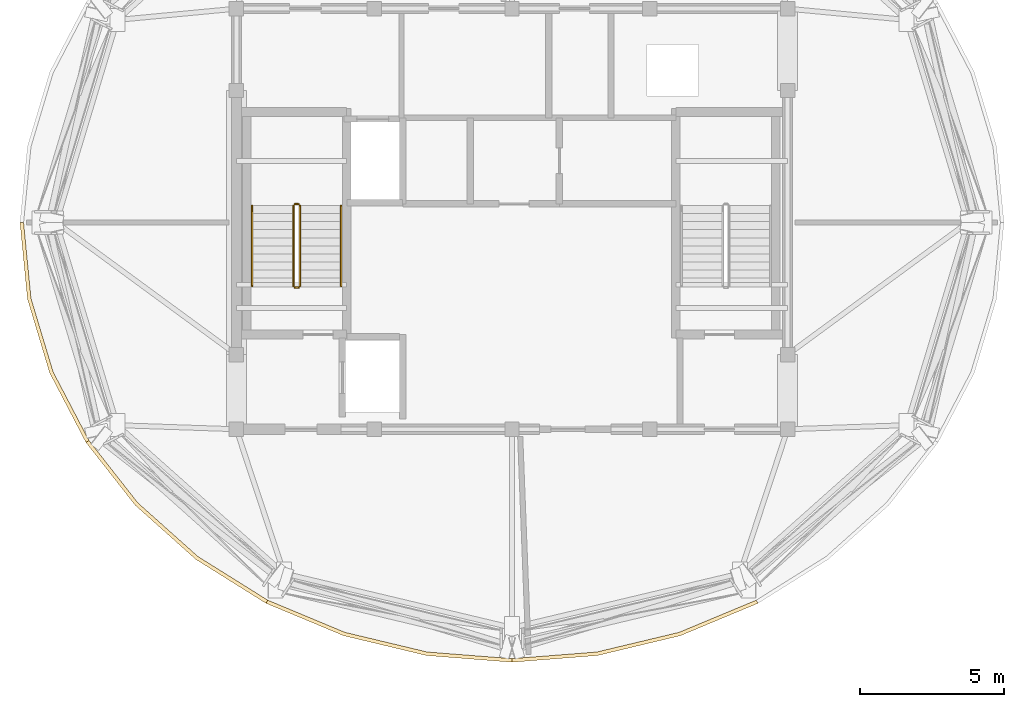
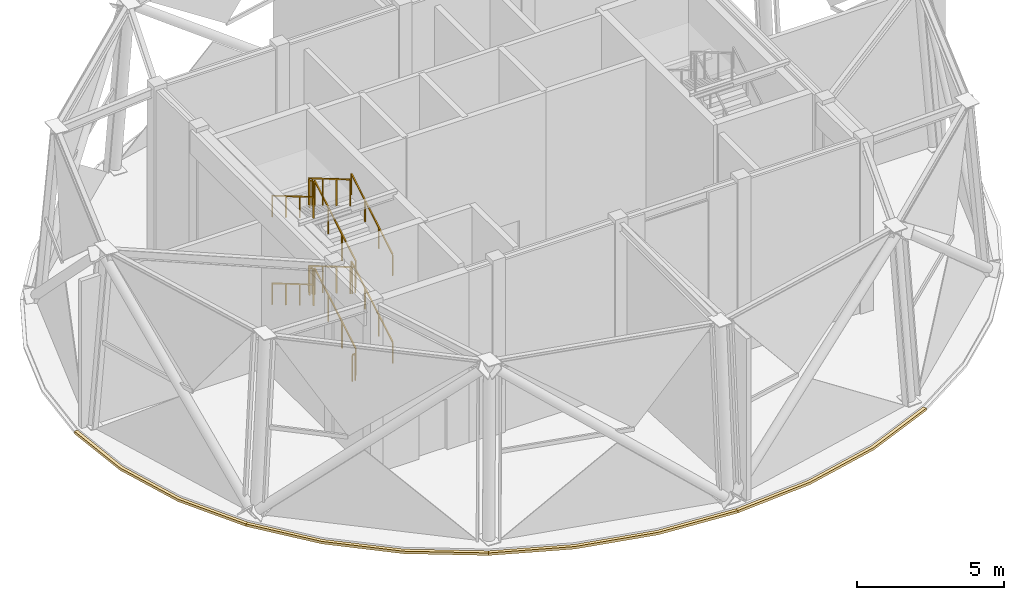
# One storey, part 7 of 9: 12 railings, 4 coverings.
"""IFC4 building model written with IfcOpenShell, lengths in metres."""

from ifc_helpers import new_model, si_unit, direction, frame, origin, origin_2d, place, context, subcontext, project, spatial, polyline, rectangle, outline, extrude, material, layer, layer_set, type_object, element, save


model = new_model("IFC4")

# Units and contexts
model_context = context("Model", 3, precision=1e-05, world=origin(), true_north=direction((0.0, 1.0)))
body_context = subcontext(model_context, "Body", "Model", "MODEL_VIEW")
ifc_project = project(units=[si_unit("LENGTHUNIT", "METRE"), si_unit("AREAUNIT", "SQUARE_METRE"), si_unit("VOLUMEUNIT", "CUBIC_METRE"), si_unit("PLANEANGLEUNIT", "RADIAN"), si_unit("MASSUNIT", "GRAM", prefix="KILO")], contexts=[model_context])

# Site, building, storey
site_placement = place(None, origin())
site = spatial("IfcSite", under=ifc_project, at=site_placement, CompositionType="ELEMENT")
building_placement = place(site_placement, origin())
building = spatial("IfcBuilding", under=site, at=building_placement, Name="Vantalir Tower", CompositionType="ELEMENT")
storey_placement = place(building_placement, frame((0.0, 0.0, 311.75)))
storey = spatial("IfcBuildingStorey", under=building, at=storey_placement, Name="L77", CompositionType="ELEMENT", Elevation=311.75)

# Coverings
ifc_material_1 = material(Name="Anodised champagne aluminium sill fascia", Category="aluminium")
ifc_layer = layer(ifc_material_1, 0.125)
ifc_layer_set = layer_set([ifc_layer], Name="Anodised champagne aluminium sill fascia")
covering_type = type_object("IfcCoveringType", Name="COV-SLAB-FASCIA-125", PredefinedType="CLADDING", material=ifc_layer_set)
covering_1_placement = place(storey_placement, frame((0.0, 0.0, -0.179931640625)))
element("IfcCovering", 1, at=covering_1_placement, inside=storey, type_object=covering_type, Name="L77 Perimeter Slab-Edge Sill Fascia 07", PredefinedType="CLADDING", context=body_context, shape_type="SweptSolid", body=[
    extrude(outline(polyline([(14.362060546875, 25.0), (14.6220703125, 22.341064453125), (15.39599609375, 19.761962890625), (16.657958984375, 17.342041015625), (16.76611328125, 17.405029296875), (15.512939453125, 19.804931640625), (14.7451171875, 22.362060546875), (14.487060546875, 25.0), (14.362060546875, 25.0)])), origin(), (0.0, 0.0, 1.0), 0.10498046875),
])
covering_2_placement = place(storey_placement, frame((0.0, 0.0, -0.179931640625)))
element("IfcCovering", 2, at=covering_2_placement, inside=storey, type_object=covering_type, Name="L77 Perimeter Slab-Edge Sill Fascia 08", PredefinedType="CLADDING", context=body_context, shape_type="SweptSolid", body=[
    extrude(outline(polyline([(16.657958984375, 17.342041015625), (18.3720703125, 15.156005859375), (20.48388671875, 13.26806640625), (22.930908203125, 11.737060546875), (22.992919921875, 11.844970703125), (20.56396484375, 13.364013671875), (18.467041015625, 15.236083984375), (16.76611328125, 17.405029296875), (16.657958984375, 17.342041015625)])), origin(), (0.0, 0.0, 1.0), 0.10498046875),
])
covering_3_placement = place(storey_placement, frame((0.0, 0.0, -0.179931640625)))
element("IfcCovering", 3, at=covering_3_placement, inside=storey, type_object=covering_type, Name="L77 Perimeter Slab-Edge Sill Fascia 09", PredefinedType="CLADDING", context=body_context, shape_type="SweptSolid", body=[
    extrude(outline(polyline([(22.930908203125, 11.737060546875), (25.637939453125, 10.60888671875), (28.52392578125, 9.91796875), (31.5, 9.68505859375), (31.5, 9.81005859375), (28.5458984375, 10.041015625), (25.680908203125, 10.72607421875), (22.992919921875, 11.844970703125), (22.930908203125, 11.737060546875)])), origin(), (0.0, 0.0, 1.0), 0.10498046875),
])
covering_4_placement = place(storey_placement, frame((0.0, 0.0, -0.179931640625)))
element("IfcCovering", 4, at=covering_4_placement, inside=storey, type_object=covering_type, Name="L77 Perimeter Slab-Edge Sill Fascia 10", PredefinedType="CLADDING", context=body_context, shape_type="SweptSolid", body=[
    extrude(outline(polyline([(31.5, 9.68505859375), (34.47607421875, 9.91796875), (37.362060546875, 10.60888671875), (40.069091796875, 11.737060546875), (40.007080078125, 11.844970703125), (37.319091796875, 10.72607421875), (34.4541015625, 10.041015625), (31.5, 9.81005859375), (31.5, 9.68505859375)])), origin(), (0.0, 0.0, 1.0), 0.10498046875),
])

# Railings
ifc_material_2 = material(Name="Anodised aluminium and stainless steel guard", Category="steel")
railing_type_1 = type_object("IfcRailingType", Name="RAL-GUARD-1120", PredefinedType="GUARDRAIL", material=ifc_material_2)
railing_1_placement = place(storey_placement, frame((24.110107421875, 22.7900390625, 0.164794921875)))
element("IfcRailing", 5, at=railing_1_placement, inside=storey, type_object=railing_type_1, Name="L77 ST1 stair guard 1", PredefinedType="GUARDRAIL", context=body_context, shape_type="SweptSolid", body=[
    extrude(rectangle(XDim=0.048095703125, YDim=0.048095703125, at=origin_2d()), frame((0.0, 0.0, 1.09619140625), z_axis=(0.0, 0.861851137157, 0.507161332695), x_axis=(-1.0, 0.0, 0.0)), (0.0, 0.0, 1.0), 3.248779296875),
    extrude(rectangle(XDim=0.0419921875, YDim=0.0419921875, at=origin_2d()), origin(), (0.0, 0.0, 1.0), 1.072021484375),
    extrude(rectangle(XDim=0.0419921875, YDim=0.0419921875, at=origin_2d()), frame((0.0, 0.933349609375, 0.54931640625)), (0.0, 0.0, 1.0), 1.072021484375),
    extrude(rectangle(XDim=0.0419921875, YDim=0.0419921875, at=origin_2d()), frame((0.0, 1.86669921875, 1.098388671875)), (0.0, 0.0, 1.0), 1.072021484375),
    extrude(rectangle(XDim=0.0419921875, YDim=0.0419921875, at=origin_2d()), frame((0.0, 2.800048828125, 1.647705078125)), (0.0, 0.0, 1.0), 1.072021484375),
])
railing_2_placement = place(storey_placement, frame((24.06005859375, 25.639892578125, 1.8125)))
element("IfcRailing", 6, at=railing_2_placement, inside=storey, type_object=railing_type_1, Name="L77 ST1 stair guard 2", PredefinedType="GUARDRAIL", context=body_context, shape_type="SweptSolid", body=[
    extrude(rectangle(XDim=0.048095703125, YDim=0.048095703125, at=origin_2d()), frame((0.0, 0.0, 1.09619140625), z_axis=(-1.0, 0.0, 0.0), x_axis=(0.0, -1.0, 0.0)), (0.0, 0.0, 1.0), 0.1201171875),
    extrude(rectangle(XDim=0.0419921875, YDim=0.0419921875, at=origin_2d()), origin(), (0.0, 0.0, 1.0), 1.072021484375),
    extrude(rectangle(XDim=0.0419921875, YDim=0.0419921875, at=origin_2d()), frame((-0.1201171875, 0.0, 0.0)), (0.0, 0.0, 1.0), 1.072021484375),
])
railing_3_placement = place(storey_placement, frame((23.889892578125, 25.590087890625, 1.977294921875)))
element("IfcRailing", 7, at=railing_3_placement, inside=storey, type_object=railing_type_1, Name="L77 ST1 stair guard 3", PredefinedType="GUARDRAIL", context=body_context, shape_type="SweptSolid", body=[
    extrude(rectangle(XDim=0.048095703125, YDim=0.048095703125, at=origin_2d()), frame((0.0, 0.0, 1.09619140625), z_axis=(0.0, -0.861851137157, 0.507161332695), x_axis=(1.0, 0.0, 0.0)), (0.0, 0.0, 1.0), 3.248779296875),
    extrude(rectangle(XDim=0.0419921875, YDim=0.0419921875, at=origin_2d()), origin(), (0.0, 0.0, 1.0), 1.072021484375),
    extrude(rectangle(XDim=0.0419921875, YDim=0.0419921875, at=origin_2d()), frame((0.0, -0.933349609375, 0.54931640625)), (0.0, 0.0, 1.0), 1.072021484375),
    extrude(rectangle(XDim=0.0419921875, YDim=0.0419921875, at=origin_2d()), frame((0.0, -1.86669921875, 1.098388671875)), (0.0, 0.0, 1.0), 1.072021484375),
    extrude(rectangle(XDim=0.0419921875, YDim=0.0419921875, at=origin_2d()), frame((0.0, -2.800048828125, 1.647705078125)), (0.0, 0.0, 1.0), 1.072021484375),
])
railing_4_placement = place(storey_placement, frame((24.06005859375, 22.739990234375, 3.625)))
element("IfcRailing", 8, at=railing_4_placement, inside=storey, type_object=railing_type_1, Name="L77 ST1 stair guard 4", PredefinedType="GUARDRAIL", context=body_context, shape_type="SweptSolid", body=[
    extrude(rectangle(XDim=0.048095703125, YDim=0.048095703125, at=origin_2d()), frame((0.0, 0.0, 1.09619140625), z_axis=(-1.0, 0.0, 0.0), x_axis=(0.0, -1.0, 0.0)), (0.0, 0.0, 1.0), 0.1201171875),
    extrude(rectangle(XDim=0.0419921875, YDim=0.0419921875, at=origin_2d()), origin(), (0.0, 0.0, 1.0), 1.072021484375),
    extrude(rectangle(XDim=0.0419921875, YDim=0.0419921875, at=origin_2d()), frame((-0.1201171875, 0.0, 0.0)), (0.0, 0.0, 1.0), 1.072021484375),
])
railing_5_placement = place(storey_placement, frame((24.110107421875, 22.7900390625, 3.789794921875)))
element("IfcRailing", 9, at=railing_5_placement, inside=storey, type_object=railing_type_1, Name="L77 ST1 stair guard 5", PredefinedType="GUARDRAIL", context=body_context, shape_type="SweptSolid", body=[
    extrude(rectangle(XDim=0.048095703125, YDim=0.048095703125, at=origin_2d()), frame((0.0, 0.0, 1.09619140625), z_axis=(0.0, 0.861851137157, 0.507161332695), x_axis=(-1.0, 0.0, 0.0)), (0.0, 0.0, 1.0), 3.248779296875),
    extrude(rectangle(XDim=0.0419921875, YDim=0.0419921875, at=origin_2d()), origin(), (0.0, 0.0, 1.0), 1.072021484375),
    extrude(rectangle(XDim=0.0419921875, YDim=0.0419921875, at=origin_2d()), frame((0.0, 0.933349609375, 0.54931640625)), (0.0, 0.0, 1.0), 1.072021484375),
    extrude(rectangle(XDim=0.0419921875, YDim=0.0419921875, at=origin_2d()), frame((0.0, 1.86669921875, 1.098388671875)), (0.0, 0.0, 1.0), 1.072021484375),
    extrude(rectangle(XDim=0.0419921875, YDim=0.0419921875, at=origin_2d()), frame((0.0, 2.800048828125, 1.647705078125)), (0.0, 0.0, 1.0), 1.072021484375),
])
railing_6_placement = place(storey_placement, frame((24.06005859375, 25.639892578125, 5.4375)))
element("IfcRailing", 10, at=railing_6_placement, inside=storey, type_object=railing_type_1, Name="L77 ST1 stair guard 6", PredefinedType="GUARDRAIL", context=body_context, shape_type="SweptSolid", body=[
    extrude(rectangle(XDim=0.048095703125, YDim=0.048095703125, at=origin_2d()), frame((0.0, 0.0, 1.09619140625), z_axis=(-1.0, 0.0, 0.0), x_axis=(0.0, -1.0, 0.0)), (0.0, 0.0, 1.0), 0.1201171875),
    extrude(rectangle(XDim=0.0419921875, YDim=0.0419921875, at=origin_2d()), origin(), (0.0, 0.0, 1.0), 1.072021484375),
    extrude(rectangle(XDim=0.0419921875, YDim=0.0419921875, at=origin_2d()), frame((-0.1201171875, 0.0, 0.0)), (0.0, 0.0, 1.0), 1.072021484375),
])
railing_7_placement = place(storey_placement, frame((23.889892578125, 25.590087890625, 5.602294921875)))
element("IfcRailing", 11, at=railing_7_placement, inside=storey, type_object=railing_type_1, Name="L77 ST1 stair guard 7", PredefinedType="GUARDRAIL", context=body_context, shape_type="SweptSolid", body=[
    extrude(rectangle(XDim=0.048095703125, YDim=0.048095703125, at=origin_2d()), frame((0.0, 0.0, 1.09619140625), z_axis=(0.0, -0.861851137157, 0.507161332695), x_axis=(1.0, 0.0, 0.0)), (0.0, 0.0, 1.0), 3.248779296875),
    extrude(rectangle(XDim=0.0419921875, YDim=0.0419921875, at=origin_2d()), origin(), (0.0, 0.0, 1.0), 1.072021484375),
    extrude(rectangle(XDim=0.0419921875, YDim=0.0419921875, at=origin_2d()), frame((0.0, -0.933349609375, 0.54931640625)), (0.0, 0.0, 1.0), 1.072021484375),
    extrude(rectangle(XDim=0.0419921875, YDim=0.0419921875, at=origin_2d()), frame((0.0, -1.86669921875, 1.098388671875)), (0.0, 0.0, 1.0), 1.072021484375),
    extrude(rectangle(XDim=0.0419921875, YDim=0.0419921875, at=origin_2d()), frame((0.0, -2.800048828125, 1.647705078125)), (0.0, 0.0, 1.0), 1.072021484375),
])
railing_8_placement = place(storey_placement, frame((24.06005859375, 22.739990234375, 0.0)))
element("IfcRailing", 12, at=railing_8_placement, inside=storey, type_object=railing_type_1, Name="L77 ST1 stair guard 8", PredefinedType="GUARDRAIL", context=body_context, shape_type="SweptSolid", body=[
    extrude(rectangle(XDim=0.048095703125, YDim=0.048095703125, at=origin_2d()), frame((0.0, 0.0, 1.09619140625), z_axis=(-1.0, 0.0, 0.0), x_axis=(0.0, -1.0, 0.0)), (0.0, 0.0, 1.0), 0.1201171875),
    extrude(rectangle(XDim=0.0419921875, YDim=0.0419921875, at=origin_2d()), origin(), (0.0, 0.0, 1.0), 1.072021484375),
    extrude(rectangle(XDim=0.0419921875, YDim=0.0419921875, at=origin_2d()), frame((-0.1201171875, 0.0, 0.0)), (0.0, 0.0, 1.0), 1.072021484375),
])
ifc_material_3 = material(Name="Brushed stainless steel tubular handrail", Category="steel")
railing_type_2 = type_object("IfcRailingType", Name="RAL-HANDRAIL-900", PredefinedType="HANDRAIL", material=ifc_material_3)
railing_9_placement = place(storey_placement, frame((25.550048828125, 22.7900390625, 0.164794921875)))
element("IfcRailing", 13, at=railing_9_placement, inside=storey, type_object=railing_type_2, Name="L77 ST1 stair handrail 1", PredefinedType="HANDRAIL", context=body_context, shape_type="SweptSolid", body=[
    extrude(rectangle(XDim=0.048095703125, YDim=0.048095703125, at=origin_2d()), frame((0.0, 0.0, 0.8759765625), z_axis=(0.0, 0.861851137157, 0.507161332695), x_axis=(-1.0, 0.0, 0.0)), (0.0, 0.0, 1.0), 3.248779296875),
    extrude(rectangle(XDim=0.0419921875, YDim=0.0419921875, at=origin_2d()), origin(), (0.0, 0.0, 1.0), 0.851806640625),
    extrude(rectangle(XDim=0.0419921875, YDim=0.0419921875, at=origin_2d()), frame((0.0, 0.933349609375, 0.54931640625)), (0.0, 0.0, 1.0), 0.851806640625),
    extrude(rectangle(XDim=0.0419921875, YDim=0.0419921875, at=origin_2d()), frame((0.0, 1.86669921875, 1.098388671875)), (0.0, 0.0, 1.0), 0.851806640625),
    extrude(rectangle(XDim=0.0419921875, YDim=0.0419921875, at=origin_2d()), frame((0.0, 2.800048828125, 1.647705078125)), (0.0, 0.0, 1.0), 0.851806640625),
])
railing_10_placement = place(storey_placement, frame((22.449951171875, 25.590087890625, 1.977294921875)))
element("IfcRailing", 14, at=railing_10_placement, inside=storey, type_object=railing_type_2, Name="L77 ST1 stair handrail 2", PredefinedType="HANDRAIL", context=body_context, shape_type="SweptSolid", body=[
    extrude(rectangle(XDim=0.048095703125, YDim=0.048095703125, at=origin_2d()), frame((0.0, 0.0, 0.8759765625), z_axis=(0.0, -0.861851137157, 0.507161332695), x_axis=(1.0, 0.0, 0.0)), (0.0, 0.0, 1.0), 3.248779296875),
    extrude(rectangle(XDim=0.0419921875, YDim=0.0419921875, at=origin_2d()), origin(), (0.0, 0.0, 1.0), 0.851806640625),
    extrude(rectangle(XDim=0.0419921875, YDim=0.0419921875, at=origin_2d()), frame((0.0, -0.933349609375, 0.54931640625)), (0.0, 0.0, 1.0), 0.851806640625),
    extrude(rectangle(XDim=0.0419921875, YDim=0.0419921875, at=origin_2d()), frame((0.0, -1.86669921875, 1.098388671875)), (0.0, 0.0, 1.0), 0.851806640625),
    extrude(rectangle(XDim=0.0419921875, YDim=0.0419921875, at=origin_2d()), frame((0.0, -2.800048828125, 1.647705078125)), (0.0, 0.0, 1.0), 0.851806640625),
])
railing_11_placement = place(storey_placement, frame((25.550048828125, 22.7900390625, 3.789794921875)))
element("IfcRailing", 15, at=railing_11_placement, inside=storey, type_object=railing_type_2, Name="L77 ST1 stair handrail 3", PredefinedType="HANDRAIL", context=body_context, shape_type="SweptSolid", body=[
    extrude(rectangle(XDim=0.048095703125, YDim=0.048095703125, at=origin_2d()), frame((0.0, 0.0, 0.8759765625), z_axis=(0.0, 0.861851137157, 0.507161332695), x_axis=(-1.0, 0.0, 0.0)), (0.0, 0.0, 1.0), 3.248779296875),
    extrude(rectangle(XDim=0.0419921875, YDim=0.0419921875, at=origin_2d()), origin(), (0.0, 0.0, 1.0), 0.851806640625),
    extrude(rectangle(XDim=0.0419921875, YDim=0.0419921875, at=origin_2d()), frame((0.0, 0.933349609375, 0.54931640625)), (0.0, 0.0, 1.0), 0.851806640625),
    extrude(rectangle(XDim=0.0419921875, YDim=0.0419921875, at=origin_2d()), frame((0.0, 1.86669921875, 1.098388671875)), (0.0, 0.0, 1.0), 0.851806640625),
    extrude(rectangle(XDim=0.0419921875, YDim=0.0419921875, at=origin_2d()), frame((0.0, 2.800048828125, 1.647705078125)), (0.0, 0.0, 1.0), 0.851806640625),
])
railing_12_placement = place(storey_placement, frame((22.449951171875, 25.590087890625, 5.602294921875)))
element("IfcRailing", 16, at=railing_12_placement, inside=storey, type_object=railing_type_2, Name="L77 ST1 stair handrail 4", PredefinedType="HANDRAIL", context=body_context, shape_type="SweptSolid", body=[
    extrude(rectangle(XDim=0.048095703125, YDim=0.048095703125, at=origin_2d()), frame((0.0, 0.0, 0.8759765625), z_axis=(0.0, -0.861851137157, 0.507161332695), x_axis=(1.0, 0.0, 0.0)), (0.0, 0.0, 1.0), 3.248779296875),
    extrude(rectangle(XDim=0.0419921875, YDim=0.0419921875, at=origin_2d()), origin(), (0.0, 0.0, 1.0), 0.851806640625),
    extrude(rectangle(XDim=0.0419921875, YDim=0.0419921875, at=origin_2d()), frame((0.0, -0.933349609375, 0.54931640625)), (0.0, 0.0, 1.0), 0.851806640625),
    extrude(rectangle(XDim=0.0419921875, YDim=0.0419921875, at=origin_2d()), frame((0.0, -1.86669921875, 1.098388671875)), (0.0, 0.0, 1.0), 0.851806640625),
    extrude(rectangle(XDim=0.0419921875, YDim=0.0419921875, at=origin_2d()), frame((0.0, -2.800048828125, 1.647705078125)), (0.0, 0.0, 1.0), 0.851806640625),
])

save(model, "model.ifc")
